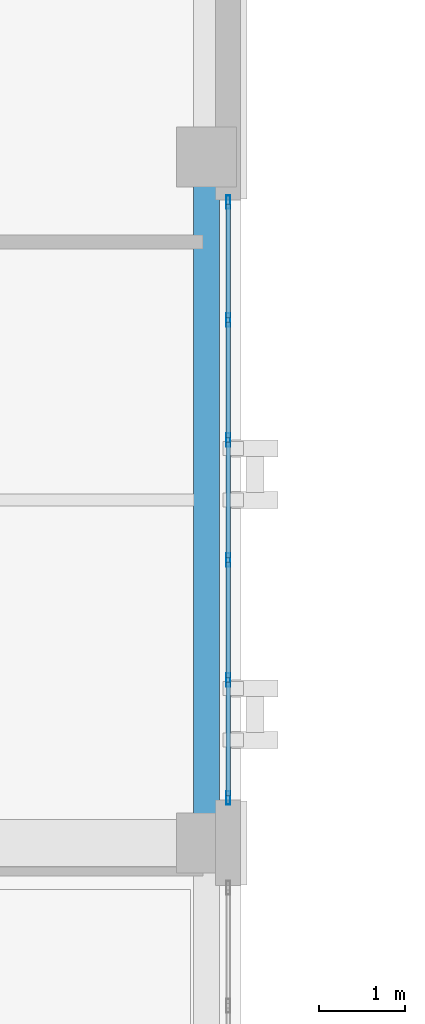
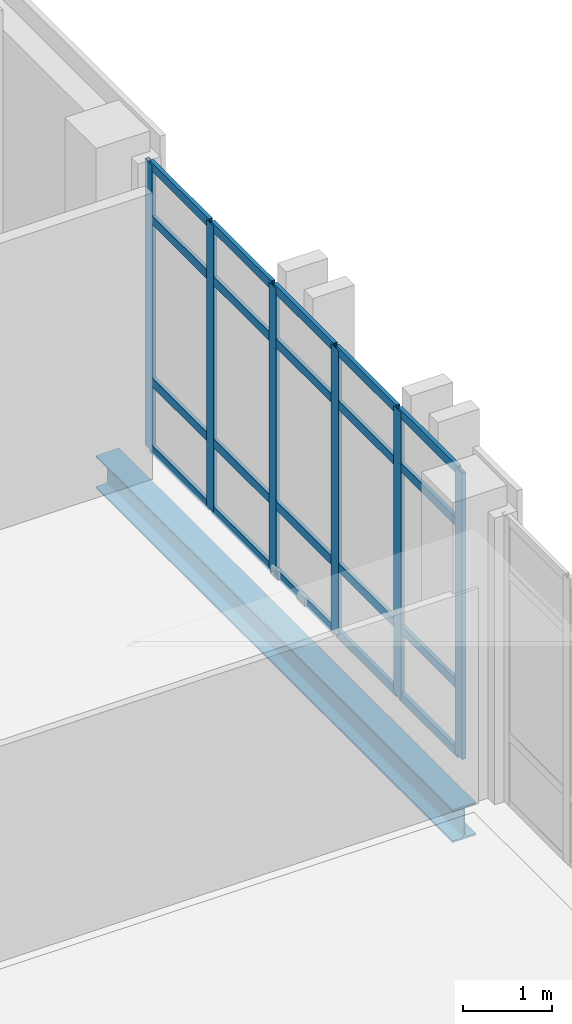
# One storey, part 64 of 165: 26 members, 1 beam, 1 element without a shape of its own.
"""IFC4 building model written with IfcOpenShell, lengths in metres."""

from ifc_helpers import new_model, si_unit, direction, frame, origin, origin_2d, place, context, subcontext, project, spatial, hollow_rectangle, i_section, extrude, material, layer, layer_set, material_profile, profile_set, type_object, element, aggregate, save


model = new_model("IFC4")

# Units and contexts
model_context = context("Model", 3, precision=1e-05, world=origin(), true_north=direction((0.0, 1.0)))
body_context = subcontext(model_context, "Body", "Model", "MODEL_VIEW")
ifc_project = project(units=[si_unit("LENGTHUNIT", "METRE"), si_unit("AREAUNIT", "SQUARE_METRE"), si_unit("VOLUMEUNIT", "CUBIC_METRE"), si_unit("PLANEANGLEUNIT", "RADIAN"), si_unit("MASSUNIT", "GRAM", prefix="KILO")], contexts=[model_context])

# Site, building, storey
site_placement = place(None, origin())
site = spatial("IfcSite", under=ifc_project, at=site_placement, CompositionType="ELEMENT")
building_placement = place(site_placement, origin())
building = spatial("IfcBuilding", under=site, at=building_placement, Name="Qalavern Law Courts", CompositionType="ELEMENT")
storey_placement = place(building_placement, frame((0.0, 0.0, 14.39990234375)))
storey = spatial("IfcBuildingStorey", under=building, at=storey_placement, Name="L03", CompositionType="ELEMENT", Elevation=14.39990234375)

# Curtain wall, members
ifc_material_1 = material(Name="Anodised aluminium and insulated glazing", Category="aluminium")
ifc_layer = layer(ifc_material_1, 0.172119140625)
ifc_layer_set = layer_set([ifc_layer], Name="Anodised aluminium and insulated glazing")
curtain_wall_type = type_object("IfcCurtainWallType", Name="ENV-CW-COURT", PredefinedType="USERDEFINED", material=ifc_layer_set)
curtain_wall_placement = place(storey_placement, origin())
curtain_wall = element("IfcCurtainWall", 1, at=curtain_wall_placement, inside=storey, type_object=curtain_wall_type, Name="V4 unitised curtain wall L03 east 3", ObjectType="UNITISED CURTAIN WALL", PredefinedType="USERDEFINED")
ifc_material_2 = material(Name="Anodised aluminium", Category="aluminium")
ifc_material_profile_1 = material_profile(ifc_material_2, hollow_rectangle(XDim=0.048095703125, YDim=0.159912109375, WallThickness=0.00390625, at=origin_2d()), Name="ALU MULLION 48x160")
ifc_profile_set_1 = profile_set([ifc_material_profile_1], Name="Anodised aluminium")
member_type_1 = type_object("IfcMemberType", Name="ENV-CWM-48x160", PredefinedType="MULLION", material=ifc_profile_set_1)
member_1_placement = place(storey_placement, frame((106.652587890625, 57.924072265625, 0.0), z_axis=(0.0, 0.0, 1.0), x_axis=(-1.0, 0.0, 0.0)))
member_1 = element("IfcMember", 2, at=member_1_placement, type_object=member_type_1, Name="CW-03 mullion 1", PredefinedType="MULLION", context=body_context, shape_type="SweptSolid", body=[
    extrude(hollow_rectangle(XDim=0.048095703125, YDim=0.159912109375, WallThickness=0.00390625, at=origin_2d()), origin(), (0.0, 0.0, 1.0), 3.920166015625),
])
member_2_placement = place(storey_placement, frame((106.652587890625, 59.300048828125, 0.0), z_axis=(0.0, 0.0, 1.0), x_axis=(-1.0, 0.0, 0.0)))
member_2 = element("IfcMember", 3, at=member_2_placement, type_object=member_type_1, Name="CW-03 mullion 2", PredefinedType="MULLION", context=body_context, shape_type="SweptSolid", body=[
    extrude(hollow_rectangle(XDim=0.048095703125, YDim=0.159912109375, WallThickness=0.00390625, at=origin_2d()), origin(), (0.0, 0.0, 1.0), 3.920166015625),
])
member_3_placement = place(storey_placement, frame((106.652587890625, 60.699951171875, 0.0), z_axis=(0.0, 0.0, 1.0), x_axis=(-1.0, 0.0, 0.0)))
member_3 = element("IfcMember", 4, at=member_3_placement, type_object=member_type_1, Name="CW-03 mullion 3", PredefinedType="MULLION", context=body_context, shape_type="SweptSolid", body=[
    extrude(hollow_rectangle(XDim=0.048095703125, YDim=0.159912109375, WallThickness=0.00390625, at=origin_2d()), origin(), (0.0, 0.0, 1.0), 3.920166015625),
])
member_4_placement = place(storey_placement, frame((106.652587890625, 62.10009765625, 0.0), z_axis=(0.0, 0.0, 1.0), x_axis=(-1.0, 0.0, 0.0)))
member_4 = element("IfcMember", 5, at=member_4_placement, type_object=member_type_1, Name="CW-03 mullion 4", PredefinedType="MULLION", context=body_context, shape_type="SweptSolid", body=[
    extrude(hollow_rectangle(XDim=0.048095703125, YDim=0.159912109375, WallThickness=0.00390625, at=origin_2d()), origin(), (0.0, 0.0, 1.0), 3.920166015625),
])
member_5_placement = place(storey_placement, frame((106.652587890625, 63.5, 0.0), z_axis=(0.0, 0.0, 1.0), x_axis=(-1.0, 0.0, 0.0)))
member_5 = element("IfcMember", 6, at=member_5_placement, type_object=member_type_1, Name="CW-03 mullion 5", PredefinedType="MULLION", context=body_context, shape_type="SweptSolid", body=[
    extrude(hollow_rectangle(XDim=0.048095703125, YDim=0.159912109375, WallThickness=0.00390625, at=origin_2d()), origin(), (0.0, 0.0, 1.0), 3.920166015625),
])
member_6_placement = place(storey_placement, frame((106.652587890625, 64.8759765625, 0.0), z_axis=(0.0, 0.0, 1.0), x_axis=(-1.0, 0.0, 0.0)))
member_6 = element("IfcMember", 7, at=member_6_placement, type_object=member_type_1, Name="CW-03 mullion 6", PredefinedType="MULLION", context=body_context, shape_type="SweptSolid", body=[
    extrude(hollow_rectangle(XDim=0.048095703125, YDim=0.159912109375, WallThickness=0.00390625, at=origin_2d()), origin(), (0.0, 0.0, 1.0), 3.920166015625),
])
ifc_material_profile_2 = material_profile(ifc_material_2, hollow_rectangle(XDim=0.048095703125, YDim=0.1201171875, WallThickness=0.00390625, at=origin_2d()), Name="ALU TRANSOM 48x120")
ifc_profile_set_2 = profile_set([ifc_material_profile_2], Name="Anodised aluminium")
member_type_2 = type_object("IfcMemberType", Name="ENV-CWT-48x120", PredefinedType="USERDEFINED", material=ifc_profile_set_2)
member_7_placement = place(storey_placement, frame((106.652587890625, 57.947998046875, 0.024169921875), z_axis=(0.0, 1.0, 0.0), x_axis=(-1.0, 0.0, 0.0)))
member_7 = element("IfcMember", 8, at=member_7_placement, type_object=member_type_2, Name="CW-03 transom 1.1", ObjectType="TRANSOM", PredefinedType="USERDEFINED", context=body_context, shape_type="SweptSolid", body=[
    extrude(hollow_rectangle(XDim=0.048095703125, YDim=0.1201171875, WallThickness=0.00390625, at=origin_2d()), origin(), (0.0, 0.0, 1.0), 1.327880859375),
])
member_8_placement = place(storey_placement, frame((106.652587890625, 57.947998046875, 0.9501953125), z_axis=(0.0, 1.0, 0.0), x_axis=(-1.0, 0.0, 0.0)))
member_8 = element("IfcMember", 9, at=member_8_placement, type_object=member_type_2, Name="CW-03 transom 1.2", ObjectType="TRANSOM", PredefinedType="USERDEFINED", context=body_context, shape_type="SweptSolid", body=[
    extrude(hollow_rectangle(XDim=0.048095703125, YDim=0.1201171875, WallThickness=0.00390625, at=origin_2d()), origin(), (0.0, 0.0, 1.0), 1.327880859375),
])
member_9_placement = place(storey_placement, frame((106.652587890625, 57.947998046875, 3.170166015625), z_axis=(0.0, 1.0, 0.0), x_axis=(-1.0, 0.0, 0.0)))
member_9 = element("IfcMember", 10, at=member_9_placement, type_object=member_type_2, Name="CW-03 transom 1.3", ObjectType="TRANSOM", PredefinedType="USERDEFINED", context=body_context, shape_type="SweptSolid", body=[
    extrude(hollow_rectangle(XDim=0.048095703125, YDim=0.1201171875, WallThickness=0.00390625, at=origin_2d()), origin(), (0.0, 0.0, 1.0), 1.327880859375),
])
member_10_placement = place(storey_placement, frame((106.652587890625, 57.947998046875, 3.89599609375), z_axis=(0.0, 1.0, 0.0), x_axis=(-1.0, 0.0, 0.0)))
member_10 = element("IfcMember", 11, at=member_10_placement, type_object=member_type_2, Name="CW-03 transom 1.4", ObjectType="TRANSOM", PredefinedType="USERDEFINED", context=body_context, shape_type="SweptSolid", body=[
    extrude(hollow_rectangle(XDim=0.048095703125, YDim=0.1201171875, WallThickness=0.00390625, at=origin_2d()), origin(), (0.0, 0.0, 1.0), 1.327880859375),
])
member_11_placement = place(storey_placement, frame((106.652587890625, 59.323974609375, 0.024169921875), z_axis=(0.0, 1.0, 0.0), x_axis=(-1.0, 0.0, 0.0)))
member_11 = element("IfcMember", 12, at=member_11_placement, type_object=member_type_2, Name="CW-03 transom 2.1", ObjectType="TRANSOM", PredefinedType="USERDEFINED", context=body_context, shape_type="SweptSolid", body=[
    extrude(hollow_rectangle(XDim=0.048095703125, YDim=0.1201171875, WallThickness=0.00390625, at=origin_2d()), origin(), (0.0, 0.0, 1.0), 1.35205078125),
])
member_12_placement = place(storey_placement, frame((106.652587890625, 59.323974609375, 0.9501953125), z_axis=(0.0, 1.0, 0.0), x_axis=(-1.0, 0.0, 0.0)))
member_12 = element("IfcMember", 13, at=member_12_placement, type_object=member_type_2, Name="CW-03 transom 2.2", ObjectType="TRANSOM", PredefinedType="USERDEFINED", context=body_context, shape_type="SweptSolid", body=[
    extrude(hollow_rectangle(XDim=0.048095703125, YDim=0.1201171875, WallThickness=0.00390625, at=origin_2d()), origin(), (0.0, 0.0, 1.0), 1.35205078125),
])
member_13_placement = place(storey_placement, frame((106.652587890625, 59.323974609375, 3.170166015625), z_axis=(0.0, 1.0, 0.0), x_axis=(-1.0, 0.0, 0.0)))
member_13 = element("IfcMember", 14, at=member_13_placement, type_object=member_type_2, Name="CW-03 transom 2.3", ObjectType="TRANSOM", PredefinedType="USERDEFINED", context=body_context, shape_type="SweptSolid", body=[
    extrude(hollow_rectangle(XDim=0.048095703125, YDim=0.1201171875, WallThickness=0.00390625, at=origin_2d()), origin(), (0.0, 0.0, 1.0), 1.35205078125),
])
member_14_placement = place(storey_placement, frame((106.652587890625, 59.323974609375, 3.89599609375), z_axis=(0.0, 1.0, 0.0), x_axis=(-1.0, 0.0, 0.0)))
member_14 = element("IfcMember", 15, at=member_14_placement, type_object=member_type_2, Name="CW-03 transom 2.4", ObjectType="TRANSOM", PredefinedType="USERDEFINED", context=body_context, shape_type="SweptSolid", body=[
    extrude(hollow_rectangle(XDim=0.048095703125, YDim=0.1201171875, WallThickness=0.00390625, at=origin_2d()), origin(), (0.0, 0.0, 1.0), 1.35205078125),
])
member_15_placement = place(storey_placement, frame((106.652587890625, 60.72412109375, 0.024169921875), z_axis=(0.0, 1.0, 0.0), x_axis=(-1.0, 0.0, 0.0)))
member_15 = element("IfcMember", 16, at=member_15_placement, type_object=member_type_2, Name="CW-03 transom 3.1", ObjectType="TRANSOM", PredefinedType="USERDEFINED", context=body_context, shape_type="SweptSolid", body=[
    extrude(hollow_rectangle(XDim=0.048095703125, YDim=0.1201171875, WallThickness=0.00390625, at=origin_2d()), origin(), (0.0, 0.0, 1.0), 1.351806640625),
])
member_16_placement = place(storey_placement, frame((106.652587890625, 60.72412109375, 0.9501953125), z_axis=(0.0, 1.0, 0.0), x_axis=(-1.0, 0.0, 0.0)))
member_16 = element("IfcMember", 17, at=member_16_placement, type_object=member_type_2, Name="CW-03 transom 3.2", ObjectType="TRANSOM", PredefinedType="USERDEFINED", context=body_context, shape_type="SweptSolid", body=[
    extrude(hollow_rectangle(XDim=0.048095703125, YDim=0.1201171875, WallThickness=0.00390625, at=origin_2d()), origin(), (0.0, 0.0, 1.0), 1.351806640625),
])
member_17_placement = place(storey_placement, frame((106.652587890625, 60.72412109375, 3.170166015625), z_axis=(0.0, 1.0, 0.0), x_axis=(-1.0, 0.0, 0.0)))
member_17 = element("IfcMember", 18, at=member_17_placement, type_object=member_type_2, Name="CW-03 transom 3.3", ObjectType="TRANSOM", PredefinedType="USERDEFINED", context=body_context, shape_type="SweptSolid", body=[
    extrude(hollow_rectangle(XDim=0.048095703125, YDim=0.1201171875, WallThickness=0.00390625, at=origin_2d()), origin(), (0.0, 0.0, 1.0), 1.351806640625),
])
member_18_placement = place(storey_placement, frame((106.652587890625, 60.72412109375, 3.89599609375), z_axis=(0.0, 1.0, 0.0), x_axis=(-1.0, 0.0, 0.0)))
member_18 = element("IfcMember", 19, at=member_18_placement, type_object=member_type_2, Name="CW-03 transom 3.4", ObjectType="TRANSOM", PredefinedType="USERDEFINED", context=body_context, shape_type="SweptSolid", body=[
    extrude(hollow_rectangle(XDim=0.048095703125, YDim=0.1201171875, WallThickness=0.00390625, at=origin_2d()), origin(), (0.0, 0.0, 1.0), 1.351806640625),
])
member_19_placement = place(storey_placement, frame((106.652587890625, 62.1240234375, 0.024169921875), z_axis=(0.0, 1.0, 0.0), x_axis=(-1.0, 0.0, 0.0)))
member_19 = element("IfcMember", 20, at=member_19_placement, type_object=member_type_2, Name="CW-03 transom 4.1", ObjectType="TRANSOM", PredefinedType="USERDEFINED", context=body_context, shape_type="SweptSolid", body=[
    extrude(hollow_rectangle(XDim=0.048095703125, YDim=0.1201171875, WallThickness=0.00390625, at=origin_2d()), origin(), (0.0, 0.0, 1.0), 1.35205078125),
])
member_20_placement = place(storey_placement, frame((106.652587890625, 62.1240234375, 0.9501953125), z_axis=(0.0, 1.0, 0.0), x_axis=(-1.0, 0.0, 0.0)))
member_20 = element("IfcMember", 21, at=member_20_placement, type_object=member_type_2, Name="CW-03 transom 4.2", ObjectType="TRANSOM", PredefinedType="USERDEFINED", context=body_context, shape_type="SweptSolid", body=[
    extrude(hollow_rectangle(XDim=0.048095703125, YDim=0.1201171875, WallThickness=0.00390625, at=origin_2d()), origin(), (0.0, 0.0, 1.0), 1.35205078125),
])
member_21_placement = place(storey_placement, frame((106.652587890625, 62.1240234375, 3.170166015625), z_axis=(0.0, 1.0, 0.0), x_axis=(-1.0, 0.0, 0.0)))
member_21 = element("IfcMember", 22, at=member_21_placement, type_object=member_type_2, Name="CW-03 transom 4.3", ObjectType="TRANSOM", PredefinedType="USERDEFINED", context=body_context, shape_type="SweptSolid", body=[
    extrude(hollow_rectangle(XDim=0.048095703125, YDim=0.1201171875, WallThickness=0.00390625, at=origin_2d()), origin(), (0.0, 0.0, 1.0), 1.35205078125),
])
member_22_placement = place(storey_placement, frame((106.652587890625, 62.1240234375, 3.89599609375), z_axis=(0.0, 1.0, 0.0), x_axis=(-1.0, 0.0, 0.0)))
member_22 = element("IfcMember", 23, at=member_22_placement, type_object=member_type_2, Name="CW-03 transom 4.4", ObjectType="TRANSOM", PredefinedType="USERDEFINED", context=body_context, shape_type="SweptSolid", body=[
    extrude(hollow_rectangle(XDim=0.048095703125, YDim=0.1201171875, WallThickness=0.00390625, at=origin_2d()), origin(), (0.0, 0.0, 1.0), 1.35205078125),
])
member_23_placement = place(storey_placement, frame((106.652587890625, 63.52392578125, 0.024169921875), z_axis=(0.0, 1.0, 0.0), x_axis=(-1.0, 0.0, 0.0)))
member_23 = element("IfcMember", 24, at=member_23_placement, type_object=member_type_2, Name="CW-03 transom 5.1", ObjectType="TRANSOM", PredefinedType="USERDEFINED", context=body_context, shape_type="SweptSolid", body=[
    extrude(hollow_rectangle(XDim=0.048095703125, YDim=0.1201171875, WallThickness=0.00390625, at=origin_2d()), origin(), (0.0, 0.0, 1.0), 1.328125),
])
member_24_placement = place(storey_placement, frame((106.652587890625, 63.52392578125, 0.9501953125), z_axis=(0.0, 1.0, 0.0), x_axis=(-1.0, 0.0, 0.0)))
member_24 = element("IfcMember", 25, at=member_24_placement, type_object=member_type_2, Name="CW-03 transom 5.2", ObjectType="TRANSOM", PredefinedType="USERDEFINED", context=body_context, shape_type="SweptSolid", body=[
    extrude(hollow_rectangle(XDim=0.048095703125, YDim=0.1201171875, WallThickness=0.00390625, at=origin_2d()), origin(), (0.0, 0.0, 1.0), 1.328125),
])
member_25_placement = place(storey_placement, frame((106.652587890625, 63.52392578125, 3.170166015625), z_axis=(0.0, 1.0, 0.0), x_axis=(-1.0, 0.0, 0.0)))
member_25 = element("IfcMember", 26, at=member_25_placement, type_object=member_type_2, Name="CW-03 transom 5.3", ObjectType="TRANSOM", PredefinedType="USERDEFINED", context=body_context, shape_type="SweptSolid", body=[
    extrude(hollow_rectangle(XDim=0.048095703125, YDim=0.1201171875, WallThickness=0.00390625, at=origin_2d()), origin(), (0.0, 0.0, 1.0), 1.328125),
])
member_26_placement = place(storey_placement, frame((106.652587890625, 63.52392578125, 3.89599609375), z_axis=(0.0, 1.0, 0.0), x_axis=(-1.0, 0.0, 0.0)))
member_26 = element("IfcMember", 27, at=member_26_placement, type_object=member_type_2, Name="CW-03 transom 5.4", ObjectType="TRANSOM", PredefinedType="USERDEFINED", context=body_context, shape_type="SweptSolid", body=[
    extrude(hollow_rectangle(XDim=0.048095703125, YDim=0.1201171875, WallThickness=0.00390625, at=origin_2d()), origin(), (0.0, 0.0, 1.0), 1.328125),
])
aggregate(curtain_wall, [member_1, member_2, member_3, member_4, member_5, member_6, member_7, member_8, member_9, member_10, member_11, member_12, member_13, member_14, member_15, member_16, member_17, member_18, member_19, member_20, member_21, member_22, member_23, member_24, member_25, member_26])

# Beam
ifc_material_3 = material(Name="Steel S355", Category="steel")
ifc_material_profile_3 = material_profile(ifc_material_3, i_section(OverallWidth=0.300048828125, OverallDepth=0.449951171875, WebThickness=0.013916015625, FlangeThickness=0.02587890625, FilletRadius=0.027099609375, at=origin_2d()), Name="HEB 450")
ifc_profile_set_3 = profile_set([ifc_material_profile_3], Name="Steel S355")
beam_type = type_object("IfcBeamType", Name="STR-SP-HEB450", PredefinedType="SPANDREL", material=ifc_profile_set_3)
beam_placement = place(storey_placement, frame((106.39990234375, 57.39990234375, -0.510009765625), z_axis=(0.0, 1.0, 0.0), x_axis=(-1.0, 0.0, 0.0)))
element("IfcBeam", 28, at=beam_placement, inside=storey, type_object=beam_type, Name="V4 Y-beam 3-3 L03", PredefinedType="SPANDREL", context=body_context, shape_type="SweptSolid", body=[
    extrude(i_section(OverallWidth=0.300048828125, OverallDepth=0.449951171875, WebThickness=0.013916015625, FlangeThickness=0.02587890625, FilletRadius=0.027099609375, at=origin_2d()), origin(), (0.0, 0.0, 1.0), 8.0),
])

save(model, "model.ifc")
